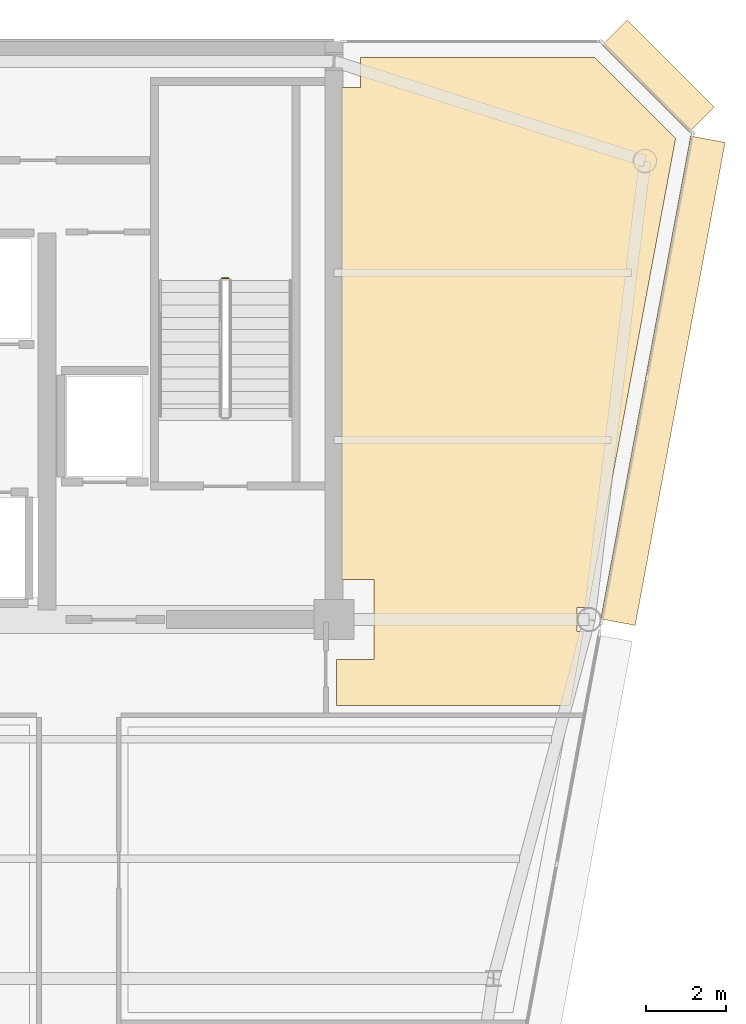
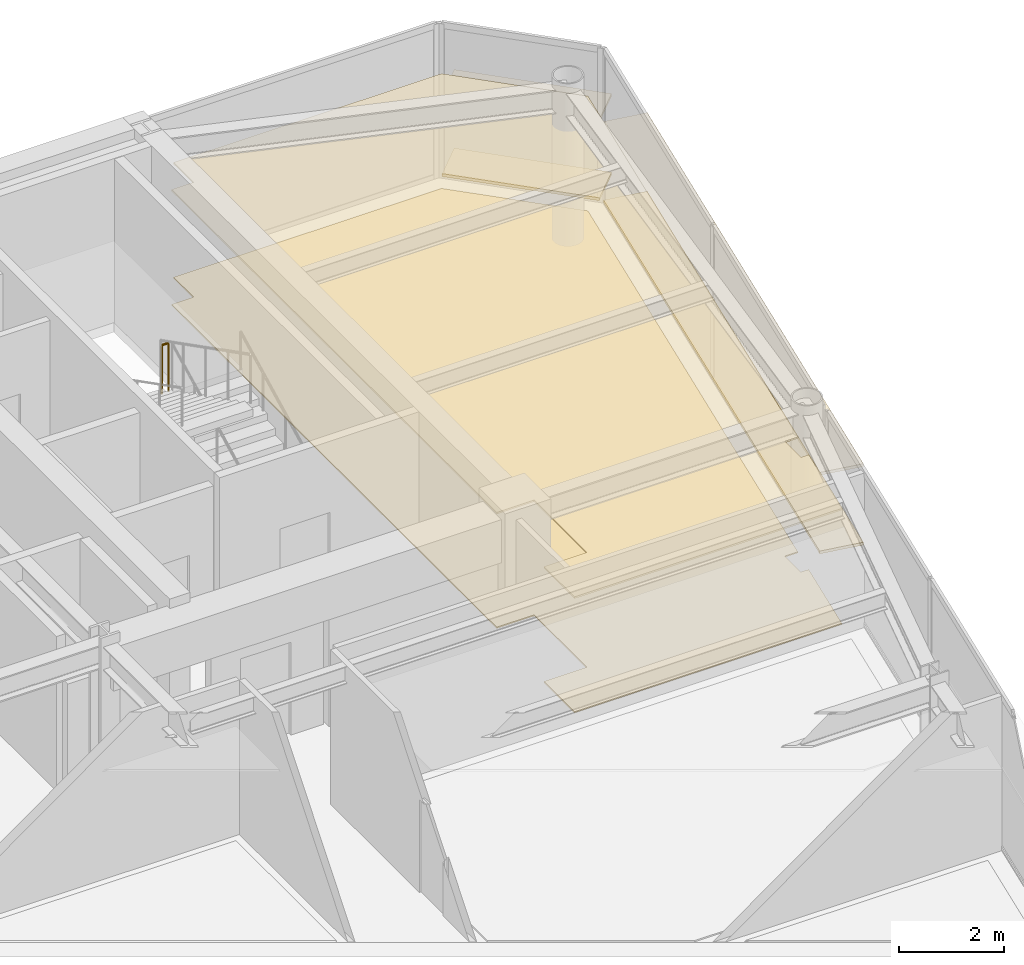
# One storey, part 19 of 19: 6 coverings, 1 railing.
"""IFC4 building model written with IfcOpenShell, lengths in metres."""

import ifcopenshell
import ifcopenshell.guid

model = None  # the IFC model being written
_history = None  # IfcOwnerHistory: only IFC2X3 demands one
_inside = {}  # id of a spatial element -> (the spatial element, [elements in it])
_under = {}  # id of a project, library or spatial element -> (it, [spatial elements below it])
_declared = {}  # id of a project -> (the project, [libraries it declares])
_typed = {}  # id of a type object -> (the type object, [elements of that type])
_made_of = {}  # id of a material, layer set ... -> (it, [elements and type objects made of it])


def new_model(schema):
    """Start an empty IFC model of exactly this schema.

    Asked for "IFC4X3", IfcOpenShell would pick the latest addendum, in which some entities
    have other attributes; the version numbers below select the first issue.
    IFC2X3 requires an IfcOwnerHistory on every rooted entity: one is made here for all.
    """
    global model, _history
    if schema == "IFC4X3":
        model = ifcopenshell.file(schema_version=(4, 3, 0, 0))
    else:
        model = ifcopenshell.file(schema=schema)
    _inside.clear()
    _under.clear()
    _declared.clear()
    _typed.clear()
    _made_of.clear()
    _history = None
    if model.schema == "IFC2X3":
        org = make("IfcOrganization", Name="unknown")
        user = make(
            "IfcPersonAndOrganization",
            ThePerson=make("IfcPerson", FamilyName="unknown"),
            TheOrganization=org,
        )
        app = make(
            "IfcApplication",
            ApplicationDeveloper=org,
            Version="unknown",
            ApplicationFullName="unknown",
            ApplicationIdentifier="unknown",
        )
        _history = make(
            "IfcOwnerHistory",
            OwningUser=user,
            OwningApplication=app,
            ChangeAction="ADDED",
            CreationDate=0,
        )
    return model


def make(cls, **values):
    """One entity of the class cls with the attributes given. An attribute that is None is left unset."""
    return model.create_entity(
        cls, **{name: value for name, value in values.items() if value is not None}
    )


def rooted(cls, **values):
    """An entity with a GlobalId (a new one), such as an element, a storey or a relation."""
    return make(cls, GlobalId=ifcopenshell.guid.new(), OwnerHistory=_history, **values)


def si_unit(unit_type, name, prefix=None):
    """IfcSIUnit, for example si_unit("LENGTHUNIT", "METRE", prefix="MILLI")."""
    return make("IfcSIUnit", UnitType=unit_type, Prefix=prefix, Name=name)


def assignment(units):
    """IfcUnitAssignment: the units of a project."""
    return None if units is None else make("IfcUnitAssignment", Units=units)


def point(xyz):
    """IfcCartesianPoint."""
    return None if xyz is None else make("IfcCartesianPoint", Coordinates=xyz)


def direction(xyz):
    """IfcDirection."""
    return None if xyz is None else make("IfcDirection", DirectionRatios=xyz)


def frame(location, z_axis=None, x_axis=None):
    """IfcAxis2Placement3D, a coordinate frame: its origin and axes. An axis left out is left unset."""
    return make(
        "IfcAxis2Placement3D",
        Location=point(location),
        Axis=direction(z_axis),
        RefDirection=direction(x_axis),
    )


def frame_2d(location, x_axis=None):
    """IfcAxis2Placement2D, a coordinate frame in the plane: its origin and x axis."""
    return make(
        "IfcAxis2Placement2D", Location=point(location), RefDirection=direction(x_axis)
    )


def origin():
    """The frame at (0, 0, 0) with its axes left unset."""
    return frame((0.0, 0.0, 0.0))


def origin_2d():
    """The frame at (0, 0) in the plane with its x axis left unset."""
    return frame_2d((0.0, 0.0))


def place(relative_to, where):
    """IfcLocalPlacement: puts the frame where relative to a parent placement (None: the world)."""
    return make(
        "IfcLocalPlacement", PlacementRelTo=relative_to, RelativePlacement=where
    )


def context(
    kind, dimensions, precision=None, world=None, true_north=None, identifier=None
):
    """IfcGeometricRepresentationContext, for example the 3D "Model" context."""
    return make(
        "IfcGeometricRepresentationContext",
        ContextIdentifier=identifier,
        ContextType=kind,
        CoordinateSpaceDimension=dimensions,
        Precision=precision,
        WorldCoordinateSystem=world,
        TrueNorth=true_north,
    )


def subcontext(parent, identifier, kind, view, scale=None):
    """IfcGeometricRepresentationSubContext, for example "Body" below "Model"."""
    return make(
        "IfcGeometricRepresentationSubContext",
        ContextIdentifier=identifier,
        ContextType=kind,
        ParentContext=parent,
        TargetScale=scale,
        TargetView=view,
    )


def project(units=None, contexts=None):
    """IfcProject with its units and contexts."""
    return rooted(
        "IfcProject",
        Name="project",
        RepresentationContexts=contexts,
        UnitsInContext=assignment(units),
    )


def spatial(cls, under=None, at=None, **own):
    """A site, building, storey or space (cls), placed at a placement, below another one or the project."""
    s = rooted(cls, ObjectPlacement=at, **own)
    if under is not None:
        _under.setdefault(under.id(), (under, []))[1].append(s)
    return s


def polyline(points):
    """IfcPolyline through the points."""
    return make("IfcPolyline", Points=[point(p) for p in points])


def profile(cls, at=None, kind="AREA", **sizes):
    """A parametric profile (cls). Its sizes go by their IFC names, for example OverallWidth=200.0."""
    return make(cls, ProfileType=kind, Position=at, **sizes)


def rectangle(**sizes):
    """IfcRectangleProfileDef."""
    return profile("IfcRectangleProfileDef", **sizes)


def circle(**sizes):
    """IfcCircleProfileDef."""
    return profile("IfcCircleProfileDef", **sizes)


def outline(outer, holes=None, kind="AREA"):
    """IfcArbitraryClosedProfileDef: a profile drawn as a closed curve; with holes, ...WithVoids."""
    if holes is None:
        return make("IfcArbitraryClosedProfileDef", ProfileType=kind, OuterCurve=outer)
    return make(
        "IfcArbitraryProfileDefWithVoids",
        ProfileType=kind,
        OuterCurve=outer,
        InnerCurves=holes,
    )


def extrude(swept, where, along, depth):
    """IfcExtrudedAreaSolid: the profile swept, set in the frame where, extruded along a direction by depth."""
    return make(
        "IfcExtrudedAreaSolid",
        SweptArea=swept,
        Position=where,
        ExtrudedDirection=direction(along),
        Depth=depth,
    )


def shape(context_of_items, identifier, shape_type, items):
    """IfcShapeRepresentation: the items that make up one representation, for example the "Body"."""
    return make(
        "IfcShapeRepresentation",
        ContextOfItems=context_of_items,
        RepresentationIdentifier=identifier,
        RepresentationType=shape_type,
        Items=items,
    )


def source(mapping_origin, context_of_items, identifier, shape_type, items):
    """IfcRepresentationMap: a shape defined once, which mapped items show again and again."""
    return make(
        "IfcRepresentationMap",
        MappingOrigin=mapping_origin,
        MappedRepresentation=shape(context_of_items, identifier, shape_type, items),
    )


def transform(
    local_origin,
    x_axis=None,
    y_axis=None,
    z_axis=None,
    scale=None,
    scale2=None,
    scale3=None,
    uniform=True,
):
    """IfcCartesianTransformationOperator3D, or its non-uniform kind. x_axis, y_axis, z_axis: its Axis1, 2, 3."""
    if uniform:
        return make(
            "IfcCartesianTransformationOperator3D",
            Axis1=direction(x_axis),
            Axis2=direction(y_axis),
            LocalOrigin=point(local_origin),
            Scale=scale,
            Axis3=direction(z_axis),
        )
    return make(
        "IfcCartesianTransformationOperator3DnonUniform",
        Axis1=direction(x_axis),
        Axis2=direction(y_axis),
        LocalOrigin=point(local_origin),
        Scale=scale,
        Axis3=direction(z_axis),
        Scale2=scale2,
        Scale3=scale3,
    )


def mapped(mapping_source, mapping_target):
    """IfcMappedItem: shows the shape of a source again, moved by a transform."""
    return make(
        "IfcMappedItem", MappingSource=mapping_source, MappingTarget=mapping_target
    )


def material(Name=None, Category=None):
    """IfcMaterial."""
    return make("IfcMaterial", Name=Name, Category=Category)


def layer(
    of_material, thickness, ventilated=None, Name=None, Category=None, Priority=None
):
    """IfcMaterialLayer: one layer of a wall or slab, of a material (None: an air gap)."""
    return make(
        "IfcMaterialLayer",
        Material=of_material,
        LayerThickness=thickness,
        IsVentilated=ventilated,
        Name=Name,
        Category=Category,
        Priority=Priority,
    )


def layer_set(layers, Name=None):
    """IfcMaterialLayerSet."""
    return make("IfcMaterialLayerSet", MaterialLayers=layers, LayerSetName=Name)


def made_of(thing, what):
    """Note that an element or type object is made of a material, layer set ...; save() writes the relation."""
    if what is not None:
        _made_of.setdefault(what.id(), (what, []))[1].append(thing)
    return thing


def type_object(cls, material=None, **own):
    """A type object (cls), such as IfcWallType, which elements share."""
    return made_of(rooted(cls, **own), material)


def element(
    cls,
    number,
    at=None,
    inside=None,
    cuts=None,
    type_object=None,
    material=None,
    context=None,
    identifier="Body",
    shape_type=None,
    held_by="IfcProductDefinitionShape",
    body=None,
    shapes=None,
    **own,
):
    """One element of the class cls, such as IfcWall. Its Tag is "e" and its number.

    at: its placement. inside: the storey or other place that contains it. cuts: it is an
    opening in that element (IfcRelVoidsElement). A single representation is given by context,
    identifier, shape_type and body (its items); several are given by shapes. held_by: the class
    of the entity that holds the representations. save() writes the other relations.
    """
    e = rooted(cls, Tag="e%d" % number, ObjectPlacement=at, **own)
    if body is not None:
        shapes = [shape(context, identifier, shape_type, body)]
    if shapes is not None:
        e.Representation = make(held_by, Representations=shapes)
    if inside is not None:
        _inside.setdefault(inside.id(), (inside, []))[1].append(e)
    if cuts is not None:
        rooted(
            "IfcRelVoidsElement", RelatingBuildingElement=cuts, RelatedOpeningElement=e
        )
    if type_object is not None:
        _typed.setdefault(type_object.id(), (type_object, []))[1].append(e)
    return made_of(e, material)


def aggregate(whole, parts):
    """IfcRelAggregates: a whole, such as a stair, and the parts it consists of."""
    return rooted("IfcRelAggregates", RelatingObject=whole, RelatedObjects=parts)


def save(model, path):
    """Write the relations noted so far, then the file.

    IfcRelAggregates (storeys below a building ...), IfcRelContainedInSpatialStructure (elements
    in a storey), IfcRelDefinesByType, IfcRelAssociatesMaterial and IfcRelDeclares: one each for
    every whole, place, type object, material and project.
    """
    for whole, parts in _under.values():
        aggregate(whole, parts)
    for where, things in _inside.values():
        rooted(
            "IfcRelContainedInSpatialStructure",
            RelatedElements=things,
            RelatingStructure=where,
        )
    for kind, things in _typed.values():
        rooted("IfcRelDefinesByType", RelatedObjects=things, RelatingType=kind)
    for what, things in _made_of.values():
        rooted("IfcRelAssociatesMaterial", RelatedObjects=things, RelatingMaterial=what)
    for by, libraries in _declared.values():
        rooted("IfcRelDeclares", RelatingContext=by, RelatedDefinitions=libraries)
    model.write(path)


model = new_model("IFC4")

# Units and contexts
model_context = context("Model", 3, precision=1e-05, world=origin(), true_north=direction((0.0, 1.0)))
body_context = subcontext(model_context, "Body", "Model", "MODEL_VIEW")
ifc_project = project(units=[si_unit("LENGTHUNIT", "METRE"), si_unit("AREAUNIT", "SQUARE_METRE"), si_unit("VOLUMEUNIT", "CUBIC_METRE"), si_unit("PLANEANGLEUNIT", "RADIAN"), si_unit("MASSUNIT", "GRAM", prefix="KILO")], contexts=[model_context])

# Site, building, storey
site_placement = place(None, origin())
site = spatial("IfcSite", under=ifc_project, at=site_placement, CompositionType="ELEMENT")
building_placement = place(site_placement, origin())
building = spatial("IfcBuilding", under=site, at=building_placement, Name="Vaeldorn Concourse Tower", CompositionType="ELEMENT")
storey_placement = place(building_placement, frame((0.0, 0.0, 249.800048828125)))
storey = spatial("IfcBuildingStorey", under=building, at=storey_placement, Name="L64", CompositionType="ELEMENT", Elevation=249.800048828125)

# Coverings
ifc_material_1 = material(Name="Acoustic Mineral Fibre Board", Category="gypsum")
ifc_layer_1 = layer(ifc_material_1, 0.0400390625)
ifc_layer_set_1 = layer_set([ifc_layer_1], Name="Acoustic Mineral Fibre Board")
covering_type_1 = type_object("IfcCoveringType", Name="COV-CEIL-ACOUSTIC", PredefinedType="CEILING", material=ifc_layer_set_1)
covering_1_placement = place(storey_placement, frame((0.0, 0.0, 2.64990234375)))
element("IfcCovering", 1, at=covering_1_placement, inside=storey, type_object=covering_type_1, Name="Suspended Acoustic Ceiling L64-5", PredefinedType="CEILING", context=body_context, shape_type="SweptSolid", body=[
    extrude(outline(polyline([(54.179931640625, 49.840087890625), (54.659912109375, 49.840087890625), (54.659912109375, 50.60009765625), (60.5341796875, 50.60009765625), (62.568115234375, 48.566162109375), (60.378173828125, 36.804931640625), (60.094970703125, 36.804931640625), (60.094970703125, 36.195068359375), (60.2646484375, 36.195068359375), (59.919189453125, 34.340087890625), (54.06005859375, 34.340087890625), (54.06005859375, 35.5), (55.0, 35.5), (55.0, 37.5), (54.179931640625, 37.5), (54.179931640625, 49.840087890625)])), origin(), (0.0, 0.0, 1.0), 0.0400390625),
])
ifc_material_2 = material(Name="Honed Limestone Terrazzo Flooring", Category="masonry")
ifc_layer_2 = layer(ifc_material_2, 0.0400390625)
ifc_layer_set_2 = layer_set([ifc_layer_2], Name="Honed Limestone Terrazzo Flooring")
covering_type_2 = type_object("IfcCoveringType", Name="COV-FLOOR-STONE", PredefinedType="FLOORING", material=ifc_layer_set_2)
covering_2_placement = place(storey_placement, origin())
element("IfcCovering", 2, at=covering_2_placement, inside=storey, type_object=covering_type_2, Name="Floor Finish Covering L64-5", PredefinedType="FLOORING", context=body_context, shape_type="SweptSolid", body=[
    extrude(outline(polyline([(54.179931640625, 49.840087890625), (54.659912109375, 49.840087890625), (54.659912109375, 50.60009765625), (60.5341796875, 50.60009765625), (62.568115234375, 48.566162109375), (60.378173828125, 36.804931640625), (60.094970703125, 36.804931640625), (60.094970703125, 36.195068359375), (60.2646484375, 36.195068359375), (59.919189453125, 34.340087890625), (54.06005859375, 34.340087890625), (54.06005859375, 35.5), (55.0, 35.5), (55.0, 37.5), (54.179931640625, 37.5), (54.179931640625, 49.840087890625)])), origin(), (0.0, 0.0, 1.0), 0.030029296875),
])

# Railing
ifc_material_3 = material(Name="Anodised Bronze Aluminium", Category="aluminium")
railing_type = type_object("IfcRailingType", Name="RL-STAIR-GUARD", PredefinedType="GUARDRAIL", material=ifc_material_3)
railing_placement = place(storey_placement, frame((51.35009765625, 45.06005859375, 1.89990234375)))
element("IfcRailing", 3, at=railing_placement, inside=storey, type_object=railing_type, Name="L64 ST-2 stair guard 2", PredefinedType="GUARDRAIL", context=body_context, shape_type="SweptSolid", body=[
    extrude(circle(Radius=0.02392578125, at=origin_2d()), frame((0.0, 0.0, 1.1259765625), z_axis=(-1.0, 0.0, 0.0), x_axis=(0.0, -1.0, 0.0)), (0.0, 0.0, 1.0), 0.150146484375),
    extrude(circle(Radius=0.02099609375, at=origin_2d()), origin(), (0.0, 0.0, 1.0), 1.101806640625),
    extrude(circle(Radius=0.02099609375, at=origin_2d()), frame((-0.150146484375, 0.0, 0.0)), (0.0, 0.0, 1.0), 1.101806640625),
])

# Coverings
ifc_layer_3 = layer(ifc_material_3, 0.06494140625)
ifc_layer_set_3 = layer_set([ifc_layer_3], Name="Anodised Bronze Aluminium")
covering_type_3 = type_object("IfcCoveringType", Name="SD-BRONZE-SUNSHADE", PredefinedType="USERDEFINED", material=ifc_layer_set_3)
shared_shape_1 = source(origin(), body_context, "Body", "SweptSolid", [
    extrude(rectangle(XDim=3.0927734375, YDim=0.8798828125, at=origin_2d()), origin(), (0.0, 0.0, 1.0), 0.06494140625),
])
for number, where, z_axis, x_axis, name in (
    (4, (62.1328125, 50.1328125, 0.04736328125), (0.0, 0.0, 1.0), (-0.707106781187, 0.707106781187, 0.0), "Horizontal Bronze Sunshade L64-E08.1.1"),
    (5, (62.1328125, 50.1328125, 1.867431640625), (0.0, 0.0, 1.0), (-0.707106781187, 0.707106781187, 0.0), "Horizontal Bronze Sunshade L64-E08.1.2"),
):
    element("IfcCovering", number, at=place(storey_placement, frame(where, z_axis=z_axis, x_axis=x_axis)), inside=storey, type_object=covering_type_3, Name=name, ObjectType="SUNSHADE", PredefinedType="USERDEFINED", context=body_context, shape_type="MappedRepresentation", body=[
        mapped(shared_shape_1, transform((0.0, 0.0, 0.0), scale=1.0)),
    ])
shared_shape_2 = source(origin(), body_context, "Body", "SweptSolid", [
    extrude(rectangle(XDim=12.322509765625, YDim=0.8798828125, at=origin_2d()), origin(), (0.0, 0.0, 1.0), 0.06494140625),
])
for number, where, z_axis, x_axis, name in (
    (6, (62.250732421875, 42.490966796875, 0.04736328125), (0.0, 0.0, 1.0), (0.183059191151, 0.983101893262, 0.0), "Horizontal Bronze Sunshade L64-E07.2.1"),
    (7, (62.250732421875, 42.490966796875, 1.867431640625), (0.0, 0.0, 1.0), (0.183059191151, 0.983101893262, 0.0), "Horizontal Bronze Sunshade L64-E07.2.2"),
):
    element("IfcCovering", number, at=place(storey_placement, frame(where, z_axis=z_axis, x_axis=x_axis)), inside=storey, type_object=covering_type_3, Name=name, ObjectType="SUNSHADE", PredefinedType="USERDEFINED", context=body_context, shape_type="MappedRepresentation", body=[
        mapped(shared_shape_2, transform((0.0, 0.0, 0.0), scale=1.0)),
    ])

save(model, "model.ifc")
